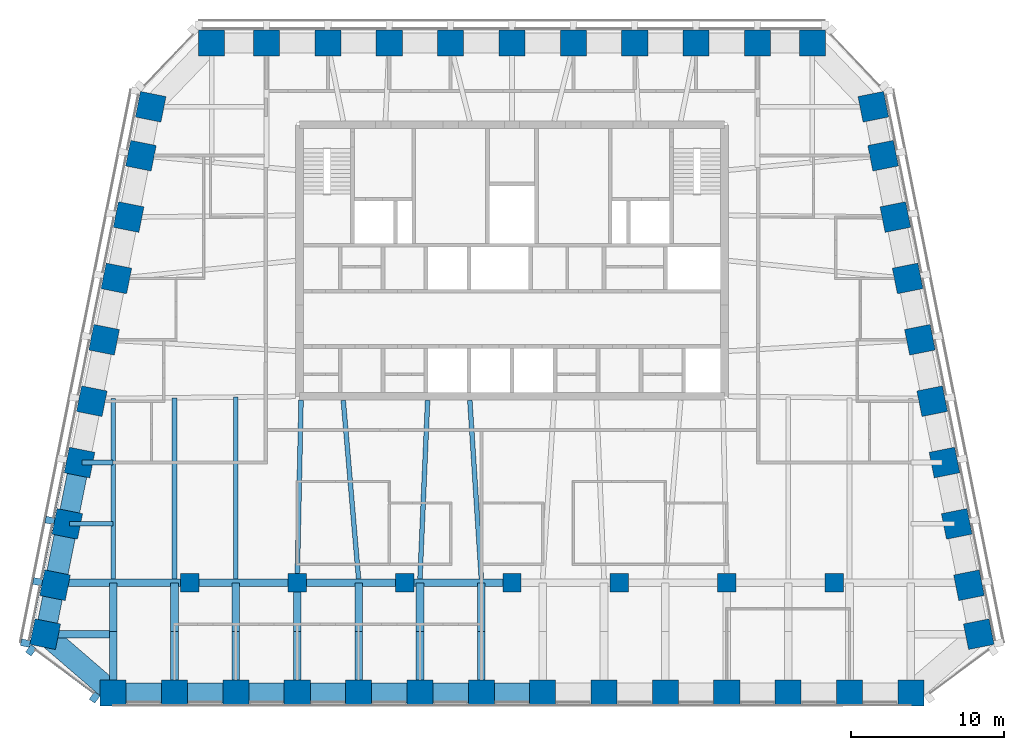
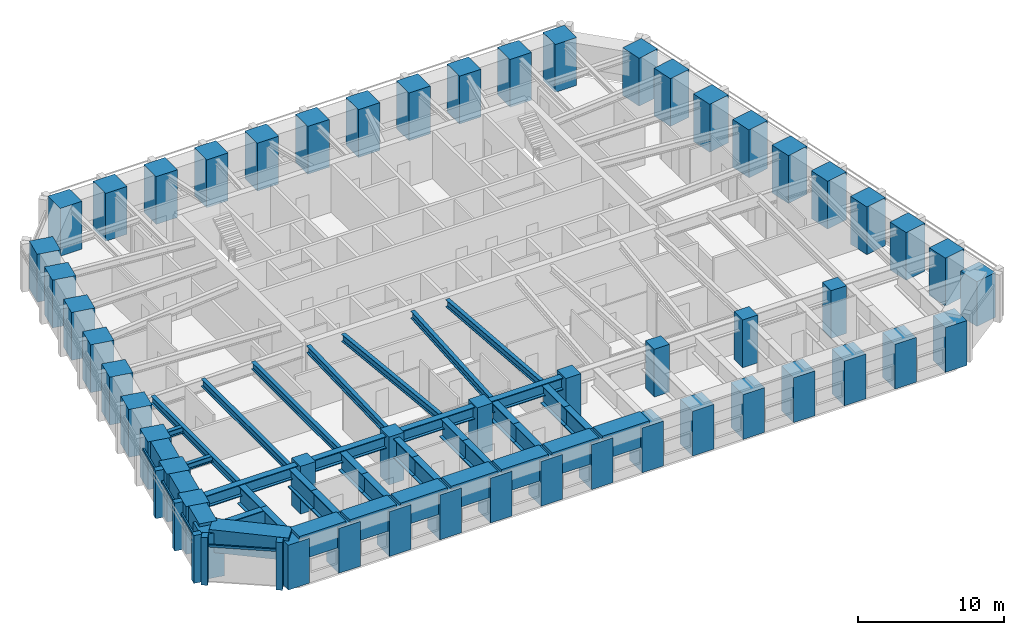
# One storey, part 1 of 11: 52 columns, 39 beams, 9 members, 2 elements without a shape of their own.
"""IFC4 building model written with IfcOpenShell, lengths in metres."""

from ifc_helpers import new_model, si_unit, direction, frame, origin, origin_2d, place, context, subcontext, project, spatial, rectangle, i_section, extrude, material, material_profile, profile_set, type_object, element, aggregate, save


model = new_model("IFC4")

# Units and contexts
model_context = context("Model", 3, precision=1e-05, world=origin(), true_north=direction((0.0, 1.0)))
body_context = subcontext(model_context, "Body", "Model", "MODEL_VIEW")
ifc_project = project(units=[si_unit("LENGTHUNIT", "METRE"), si_unit("AREAUNIT", "SQUARE_METRE"), si_unit("VOLUMEUNIT", "CUBIC_METRE"), si_unit("PLANEANGLEUNIT", "RADIAN"), si_unit("MASSUNIT", "GRAM", prefix="KILO")], contexts=[model_context])

# Site, building, storey
site_placement = place(None, origin())
site = spatial("IfcSite", under=ifc_project, at=site_placement, CompositionType="ELEMENT")
building_placement = place(site_placement, origin())
building = spatial("IfcBuilding", under=site, at=building_placement, Name="Isbrekke Arena Tower", CompositionType="ELEMENT")
storey_placement = place(building_placement, frame((0.0, 0.0, 268.0)))
storey = spatial("IfcBuildingStorey", under=building, at=storey_placement, Name="L62", CompositionType="ELEMENT", Elevation=268.0)

# Columns
ifc_material_1 = material(Name="Concrete B55 (C55/67)", Category="concrete")
ifc_material_profile_1 = material_profile(ifc_material_1, rectangle(XDim=1.199951171875, YDim=1.199951171875, at=origin_2d()), Name="RC 1200x1200")
ifc_profile_set_1 = profile_set([ifc_material_profile_1], Name="Concrete B55 (C55/67)")
column_type_1 = type_object("IfcColumnType", Name="C14 RC 1200 x 1200", PredefinedType="COLUMN", material=ifc_profile_set_1)
for number, where, z_axis, x_axis, name in (
    (1, (-21.0, -6.0, 0.0), (0.0, 0.0, 1.0), (1.0, 0.0, 0.0), "C14 I01"),
    (2, (-14.0, -6.0, 0.0), (0.0, 0.0, 1.0), (1.0, 0.0, 0.0), "C14 I02"),
    (3, (-7.0, -6.0, 0.0), (0.0, 0.0, 1.0), (1.0, 0.0, 0.0), "C14 I03"),
    (4, (0.0, -6.0, 0.0), (0.0, 0.0, 1.0), (1.0, 0.0, 0.0), "C14 I04"),
    (5, (7.0, -6.0, 0.0), (0.0, 0.0, 1.0), (1.0, 0.0, 0.0), "C14 I05"),
    (6, (14.0, -6.0, 0.0), (0.0, 0.0, 1.0), (1.0, 0.0, 0.0), "C14 I06"),
    (7, (21.0, -6.0, 0.0), (0.0, 0.0, 1.0), (1.0, 0.0, 0.0), "C14 I07"),
):
    element("IfcColumn", number, at=place(storey_placement, frame(where, z_axis=z_axis, x_axis=x_axis)), inside=storey, type_object=column_type_1, Name=name, PredefinedType="COLUMN", context=body_context, shape_type="SweptSolid", body=[
        extrude(rectangle(XDim=1.199951171875, YDim=1.199951171875, at=origin_2d()), origin(), (0.0, 0.0, 1.0), 4.0),
    ])
ifc_material_2 = material(Name="Concrete B55 (C55/67)", Category="concrete")
ifc_material_profile_2 = material_profile(ifc_material_2, rectangle(XDim=1.699951171875, YDim=1.699951171875, at=origin_2d()), Name="RC 1700x1700")
ifc_profile_set_2 = profile_set([ifc_material_profile_2], Name="Concrete B55 (C55/67)")
column_type_2 = type_object("IfcColumnType", Name="C5 RC 1700 x 1700", PredefinedType="COLUMN", material=ifc_profile_set_2)
for number, where, z_axis, x_axis, name in (
    (8, (-26.0, -13.175048828125, 0.0), (0.0, 0.0, 1.0), (1.0, 0.0, 0.0), "C5 S01"),
    (9, (-22.0, -13.175048828125, 0.0), (0.0, 0.0, 1.0), (1.0, 0.0, 0.0), "C5 S02"),
    (10, (-18.0, -13.175048828125, 0.0), (0.0, 0.0, 1.0), (1.0, 0.0, 0.0), "C5 S03"),
    (11, (-14.0, -13.175048828125, 0.0), (0.0, 0.0, 1.0), (1.0, 0.0, 0.0), "C5 S04"),
    (12, (-10.0, -13.175048828125, 0.0), (0.0, 0.0, 1.0), (1.0, 0.0, 0.0), "C5 S05"),
    (13, (-6.0, -13.175048828125, 0.0), (0.0, 0.0, 1.0), (1.0, 0.0, 0.0), "C5 S06"),
    (14, (-2.0, -13.175048828125, 0.0), (0.0, 0.0, 1.0), (1.0, 0.0, 0.0), "C5 S07"),
    (15, (2.0, -13.175048828125, 0.0), (0.0, 0.0, 1.0), (1.0, 0.0, 0.0), "C5 S08"),
    (16, (6.0, -13.175048828125, 0.0), (0.0, 0.0, 1.0), (1.0, 0.0, 0.0), "C5 S09"),
    (17, (10.0, -13.175048828125, 0.0), (0.0, 0.0, 1.0), (1.0, 0.0, 0.0), "C5 S10"),
    (18, (14.0, -13.175048828125, 0.0), (0.0, 0.0, 1.0), (1.0, 0.0, 0.0), "C5 S11"),
    (19, (18.0, -13.175048828125, 0.0), (0.0, 0.0, 1.0), (1.0, 0.0, 0.0), "C5 S12"),
    (20, (22.0, -13.175048828125, 0.0), (0.0, 0.0, 1.0), (1.0, 0.0, 0.0), "C5 S13"),
    (21, (26.0, -13.175048828125, 0.0), (0.0, 0.0, 1.0), (1.0, 0.0, 0.0), "C5 S14"),
    (22, (30.42919921875, -9.352783203125, 0.0), (0.0, 0.0, 1.0), (-0.196116135138, 0.980580675691, 0.0), "C5 E01"),
):
    element("IfcColumn", number, at=place(storey_placement, frame(where, z_axis=z_axis, x_axis=x_axis)), inside=storey, type_object=column_type_2, Name=name, PredefinedType="COLUMN", context=body_context, shape_type="SweptSolid", body=[
        extrude(rectangle(XDim=1.699951171875, YDim=1.699951171875, at=origin_2d()), origin(), (0.0, 0.0, 1.0), 3.75),
    ])
for number, where, z_axis, x_axis, name in (
    (23, (29.791015625, -6.161865234375, 0.0), (0.0, 0.0, 1.0), (-0.196116135138, 0.980580675691, 0.0), "C5 E02"),
    (24, (28.990966796875, -2.161865234375, 0.0), (0.0, 0.0, 1.0), (-0.196116135138, 0.980580675691, 0.0), "C5 E03"),
    (25, (28.19091796875, 1.838134765625, 0.0), (0.0, 0.0, 1.0), (-0.196116135138, 0.980580675691, 0.0), "C5 E04"),
    (26, (27.39111328125, 5.838134765625, 0.0), (0.0, 0.0, 1.0), (-0.196116135138, 0.980580675691, 0.0), "C5 E05"),
    (27, (26.591064453125, 9.838134765625, 0.0), (0.0, 0.0, 1.0), (-0.196116135138, 0.980580675691, 0.0), "C5 E06"),
    (28, (25.791015625, 13.838134765625, 0.0), (0.0, 0.0, 1.0), (-0.196116135138, 0.980580675691, 0.0), "C5 E07"),
    (29, (24.990966796875, 17.838134765625, 0.0), (0.0, 0.0, 1.0), (-0.196116135138, 0.980580675691, 0.0), "C5 E08"),
    (30, (24.19091796875, 21.838134765625, 0.0), (0.0, 0.0, 1.0), (-0.196116135138, 0.980580675691, 0.0), "C5 E09"),
    (31, (23.552734375, 25.029296875, 0.0), (0.0, 0.0, 1.0), (-0.196116135138, 0.980580675691, 0.0), "C5 E10"),
    (32, (19.574951171875, 29.175048828125, 0.0), (0.0, 0.0, 1.0), (-1.0, 0.0, 0.0), "C5 N01"),
    (33, (16.0, 29.175048828125, 0.0), (0.0, 0.0, 1.0), (-1.0, 0.0, 0.0), "C5 N02"),
    (34, (12.0, 29.175048828125, 0.0), (0.0, 0.0, 1.0), (-1.0, 0.0, 0.0), "C5 N03"),
    (35, (8.0, 29.175048828125, 0.0), (0.0, 0.0, 1.0), (-1.0, 0.0, 0.0), "C5 N04"),
    (36, (4.0, 29.175048828125, 0.0), (0.0, 0.0, 1.0), (-1.0, 0.0, 0.0), "C5 N05"),
    (37, (0.0, 29.175048828125, 0.0), (0.0, 0.0, 1.0), (-1.0, 0.0, 0.0), "C5 N06"),
    (38, (-4.0, 29.175048828125, 0.0), (0.0, 0.0, 1.0), (-1.0, 0.0, 0.0), "C5 N07"),
    (39, (-8.0, 29.175048828125, 0.0), (0.0, 0.0, 1.0), (-1.0, 0.0, 0.0), "C5 N08"),
    (40, (-12.0, 29.175048828125, 0.0), (0.0, 0.0, 1.0), (-1.0, 0.0, 0.0), "C5 N09"),
    (41, (-16.0, 29.175048828125, 0.0), (0.0, 0.0, 1.0), (-1.0, 0.0, 0.0), "C5 N10"),
    (42, (-19.574951171875, 29.175048828125, 0.0), (0.0, 0.0, 1.0), (-1.0, 0.0, 0.0), "C5 N11"),
    (43, (-23.552734375, 25.029296875, 0.0), (0.0, 0.0, 1.0), (-0.196116135138, -0.980580675691, 0.0), "C5 W01"),
    (44, (-24.19091796875, 21.838134765625, 0.0), (0.0, 0.0, 1.0), (-0.196116135138, -0.980580675691, 0.0), "C5 W02"),
    (45, (-24.990966796875, 17.838134765625, 0.0), (0.0, 0.0, 1.0), (-0.196116135138, -0.980580675691, 0.0), "C5 W03"),
    (46, (-25.791015625, 13.838134765625, 0.0), (0.0, 0.0, 1.0), (-0.196116135138, -0.980580675691, 0.0), "C5 W04"),
    (47, (-26.591064453125, 9.838134765625, 0.0), (0.0, 0.0, 1.0), (-0.196116135138, -0.980580675691, 0.0), "C5 W05"),
    (48, (-27.39111328125, 5.838134765625, 0.0), (0.0, 0.0, 1.0), (-0.196116135138, -0.980580675691, 0.0), "C5 W06"),
    (49, (-28.19091796875, 1.838134765625, 0.0), (0.0, 0.0, 1.0), (-0.196116135138, -0.980580675691, 0.0), "C5 W07"),
    (50, (-28.990966796875, -2.161865234375, 0.0), (0.0, 0.0, 1.0), (-0.196116135138, -0.980580675691, 0.0), "C5 W08"),
    (51, (-29.791015625, -6.161865234375, 0.0), (0.0, 0.0, 1.0), (-0.196116135138, -0.980580675691, 0.0), "C5 W09"),
):
    element("IfcColumn", number, at=place(storey_placement, frame(where, z_axis=z_axis, x_axis=x_axis)), inside=storey, type_object=column_type_2, Name=name, PredefinedType="COLUMN", context=body_context, shape_type="SweptSolid", body=[
        extrude(rectangle(XDim=1.699951171875, YDim=1.699951171875, at=origin_2d()), origin(), (0.0, 0.0, 1.0), 4.0),
    ])
column_placement = place(storey_placement, frame((-30.42919921875, -9.352783203125, 0.0), z_axis=(0.0, 0.0, 1.0), x_axis=(-0.196116135138, -0.980580675691, 0.0)))
element("IfcColumn", 52, at=column_placement, inside=storey, type_object=column_type_2, Name="C5 W10", PredefinedType="COLUMN", context=body_context, shape_type="SweptSolid", body=[
    extrude(rectangle(XDim=1.699951171875, YDim=1.699951171875, at=origin_2d()), origin(), (0.0, 0.0, 1.0), 3.75),
])

# Beams
ifc_material_3 = material(Name="Steel S355", Category="steel")
ifc_material_profile_3 = material_profile(ifc_material_3, i_section(OverallWidth=0.304931640625, OverallDepth=0.6201171875, WebThickness=0.02099609375, FlangeThickness=0.0400390625, FilletRadius=0.027099609375, at=origin_2d()), Name="HEM 600")
ifc_profile_set_3 = profile_set([ifc_material_profile_3], Name="Steel S355")
beam_type_1 = type_object("IfcBeamType", Name="B4 HEM 600", PredefinedType="BEAM", material=ifc_profile_set_3)
beam_1_placement = place(storey_placement, frame((-26.0, -5.75, 3.5400390625), z_axis=(0.0, 1.0, 0.0), x_axis=(-1.0, 0.0, 0.0)))
element("IfcBeam", 53, at=beam_1_placement, inside=storey, type_object=beam_type_1, Name="B4 beam C-M01 L62", PredefinedType="BEAM", context=body_context, shape_type="SweptSolid", body=[
    extrude(i_section(OverallWidth=0.304931640625, OverallDepth=0.6201171875, WebThickness=0.02099609375, FlangeThickness=0.0400390625, FilletRadius=0.027099609375, at=origin_2d()), origin(), (0.0, 0.0, 1.0), 11.765625),
])
beam_2_placement = place(storey_placement, frame((-22.0, -5.75, 3.5400390625), z_axis=(0.0, 1.0, 0.0), x_axis=(-1.0, 0.0, 0.0)))
element("IfcBeam", 54, at=beam_2_placement, inside=storey, type_object=beam_type_1, Name="B4 beam C-M02 L62", PredefinedType="BEAM", context=body_context, shape_type="SweptSolid", body=[
    extrude(i_section(OverallWidth=0.304931640625, OverallDepth=0.6201171875, WebThickness=0.02099609375, FlangeThickness=0.0400390625, FilletRadius=0.027099609375, at=origin_2d()), origin(), (0.0, 0.0, 1.0), 11.810791015625),
])
beam_3_placement = place(storey_placement, frame((-18.0, -5.75, 3.5400390625), z_axis=(0.0, 1.0, 0.0), x_axis=(-1.0, 0.0, 0.0)))
element("IfcBeam", 55, at=beam_3_placement, inside=storey, type_object=beam_type_1, Name="B4 beam C-M03 L62", PredefinedType="BEAM", context=body_context, shape_type="SweptSolid", body=[
    extrude(i_section(OverallWidth=0.304931640625, OverallDepth=0.6201171875, WebThickness=0.02099609375, FlangeThickness=0.0400390625, FilletRadius=0.027099609375, at=origin_2d()), origin(), (0.0, 0.0, 1.0), 11.85595703125),
])
beam_4_placement = place(storey_placement, frame((-14.0, -5.8466796875, 3.5400390625), z_axis=(0.021277968258, 0.999773598405, 0.0), x_axis=(-0.999773598405, 0.021277968258, 0.0)))
element("IfcBeam", 56, at=beam_4_placement, inside=storey, type_object=beam_type_1, Name="B4 beam C-M04 L62", PredefinedType="BEAM", context=body_context, shape_type="SweptSolid", body=[
    extrude(i_section(OverallWidth=0.304931640625, OverallDepth=0.6201171875, WebThickness=0.02099609375, FlangeThickness=0.0400390625, FilletRadius=0.027099609375, at=origin_2d()), origin(), (0.0, 0.0, 1.0), 11.749267578125),
])
beam_5_placement = place(storey_placement, frame((-10.001220703125, -5.737060546875, 3.5400390625), z_axis=(-0.085513786118, 0.996336987361, 0.0), x_axis=(-0.996336987361, -0.085513786118, 0.0)))
element("IfcBeam", 57, at=beam_5_placement, inside=storey, type_object=beam_type_1, Name="B4 beam C-M05 L62", PredefinedType="BEAM", context=body_context, shape_type="SweptSolid", body=[
    extrude(i_section(OverallWidth=0.304931640625, OverallDepth=0.6201171875, WebThickness=0.02099609375, FlangeThickness=0.0400390625, FilletRadius=0.027099609375, at=origin_2d()), origin(), (0.0, 0.0, 1.0), 11.6796875),
])
beam_6_placement = place(storey_placement, frame((-5.999755859375, -5.743408203125, 3.5400390625), z_axis=(0.042882661228, 0.999080115589, 0.0), x_axis=(-0.999080115589, 0.042882661228, 0.0)))
element("IfcBeam", 58, at=beam_6_placement, inside=storey, type_object=beam_type_1, Name="B4 beam C-M06 L62", PredefinedType="BEAM", context=body_context, shape_type="SweptSolid", body=[
    extrude(i_section(OverallWidth=0.304931640625, OverallDepth=0.6201171875, WebThickness=0.02099609375, FlangeThickness=0.0400390625, FilletRadius=0.027099609375, at=origin_2d()), origin(), (0.0, 0.0, 1.0), 11.654052734375),
])
beam_7_placement = place(storey_placement, frame((-2.000732421875, -5.740234375, 3.5400390625), z_axis=(-0.064236369609, 0.997934711702, 0.0), x_axis=(-0.997934711702, -0.064236369609, 0.0)))
element("IfcBeam", 59, at=beam_7_placement, inside=storey, type_object=beam_type_1, Name="B4 beam C-M07 L62", PredefinedType="BEAM", context=body_context, shape_type="SweptSolid", body=[
    extrude(i_section(OverallWidth=0.304931640625, OverallDepth=0.6201171875, WebThickness=0.02099609375, FlangeThickness=0.0400390625, FilletRadius=0.027099609375, at=origin_2d()), origin(), (0.0, 0.0, 1.0), 11.664306640625),
])
ifc_material_4 = material(Name="Steel S355", Category="steel")
ifc_material_profile_4 = material_profile(ifc_material_4, i_section(OverallWidth=0.305908203125, OverallDepth=0.52392578125, WebThickness=0.02099609375, FlangeThickness=0.0400390625, FilletRadius=0.027099609375, at=origin_2d()), Name="HEM 500")
ifc_profile_set_4 = profile_set([ifc_material_profile_4], Name="Steel S355")
beam_type_2 = type_object("IfcBeamType", Name="B5 HEM 500", PredefinedType="BEAM", material=ifc_profile_set_4)
beam_8_placement = place(storey_placement, frame((-28.041015625, 1.838134765625, 3.587890625), z_axis=(1.0, 0.0, 0.0), x_axis=(0.0, 1.0, 0.0)))
element("IfcBeam", 60, at=beam_8_placement, inside=storey, type_object=beam_type_2, Name="B5 beam E-W07 L62", PredefinedType="BEAM", context=body_context, shape_type="SweptSolid", body=[
    extrude(i_section(OverallWidth=0.305908203125, OverallDepth=0.52392578125, WebThickness=0.02099609375, FlangeThickness=0.0400390625, FilletRadius=0.027099609375, at=origin_2d()), origin(), (0.0, 0.0, 1.0), 2.041015625),
])
beam_9_placement = place(storey_placement, frame((-28.841064453125, -2.161865234375, 3.587890625), z_axis=(1.0, 0.0, 0.0), x_axis=(0.0, 1.0, 0.0)))
element("IfcBeam", 61, at=beam_9_placement, inside=storey, type_object=beam_type_2, Name="B5 beam E-W08 L62", PredefinedType="BEAM", context=body_context, shape_type="SweptSolid", body=[
    extrude(i_section(OverallWidth=0.305908203125, OverallDepth=0.52392578125, WebThickness=0.02099609375, FlangeThickness=0.0400390625, FilletRadius=0.027099609375, at=origin_2d()), origin(), (0.0, 0.0, 1.0), 2.841064453125),
])

# Curtain wall, members
ifc_material_5 = material(Name="Glazed aluminium curtain wall", Category="aluminium")
curtain_wall_type = type_object("IfcCurtainWallType", Name="CWT TOWER CURTAIN WALL TOP ZONE", PredefinedType="USERDEFINED", material=ifc_material_5)
curtain_wall_1_placement = place(storey_placement, origin())
curtain_wall_1 = element("IfcCurtainWall", 62, at=curtain_wall_1_placement, inside=storey, type_object=curtain_wall_type, Name="CWT curtain wall L62-W", ObjectType="TOWER CURTAIN WALL TOP ZONE", PredefinedType="USERDEFINED")
ifc_material_6 = material(Name="Copper-clad aluminium mullion", Category="aluminium")
ifc_material_profile_5 = material_profile(ifc_material_6, rectangle(XDim=0.449951171875, YDim=0.60009765625, at=origin_2d()), Name="PIER 450X600")
ifc_profile_set_5 = profile_set([ifc_material_profile_5], Name="Copper-clad aluminium mullion")
member_type_1 = type_object("IfcMemberType", Name="CWT-M PIER MULLION 450 x 600", PredefinedType="MULLION", material=ifc_profile_set_5)
member_1_placement = place(storey_placement, frame((-30.11865234375, -1.936279296875, 0.0), z_axis=(0.0, 0.0, 1.0), x_axis=(-0.196116135138, -0.980580675691, 0.0)))
member_1 = element("IfcMember", 63, at=member_1_placement, type_object=member_type_1, Name="CWT-M mullion 8", PredefinedType="MULLION", context=body_context, shape_type="SweptSolid", body=[
    extrude(rectangle(XDim=0.449951171875, YDim=0.60009765625, at=origin_2d()), origin(), (0.0, 0.0, 1.0), 4.0),
])
member_2_placement = place(storey_placement, frame((-30.918701171875, -5.936279296875, 0.0), z_axis=(0.0, 0.0, 1.0), x_axis=(-0.196116135138, -0.980580675691, 0.0)))
member_2 = element("IfcMember", 64, at=member_2_placement, type_object=member_type_1, Name="CWT-M mullion 9", PredefinedType="MULLION", context=body_context, shape_type="SweptSolid", body=[
    extrude(rectangle(XDim=0.449951171875, YDim=0.60009765625, at=origin_2d()), origin(), (0.0, 0.0, 1.0), 4.0),
])
member_3_placement = place(storey_placement, frame((-31.71875, -9.936279296875, 0.0), z_axis=(0.0, 0.0, 1.0), x_axis=(-0.196116135138, -0.980580675691, 0.0)))
member_3 = element("IfcMember", 65, at=member_3_placement, type_object=member_type_1, Name="CWT-M mullion 10", PredefinedType="MULLION", context=body_context, shape_type="SweptSolid", body=[
    extrude(rectangle(XDim=0.449951171875, YDim=0.60009765625, at=origin_2d()), origin(), (0.0, 0.0, 1.0), 4.0),
])

curtain_wall_2_placement = place(storey_placement, origin())
curtain_wall_2 = element("IfcCurtainWall", 66, at=curtain_wall_2_placement, inside=storey, type_object=curtain_wall_type, Name="CWT curtain wall L62-WS", ObjectType="TOWER CURTAIN WALL TOP ZONE", PredefinedType="USERDEFINED")
member_4_placement = place(storey_placement, frame((-31.355224609375, -10.406494140625, 0.0), z_axis=(0.0, 0.0, 1.0), x_axis=(0.803557193345, -0.595227550626, 0.0)))
member_4 = element("IfcMember", 67, at=member_4_placement, type_object=member_type_1, Name="CWT-M mullion 1", PredefinedType="MULLION", context=body_context, shape_type="SweptSolid", body=[
    extrude(rectangle(XDim=0.449951171875, YDim=0.60009765625, at=origin_2d()), origin(), (0.0, 0.0, 1.0), 4.0),
])
member_5_placement = place(storey_placement, frame((-27.207275390625, -13.47900390625, 0.0), z_axis=(0.0, 0.0, 1.0), x_axis=(0.803557193345, -0.595227550626, 0.0)))
member_5 = element("IfcMember", 68, at=member_5_placement, type_object=member_type_1, Name="CWT-M mullion 2", PredefinedType="MULLION", context=body_context, shape_type="SweptSolid", body=[
    extrude(rectangle(XDim=0.449951171875, YDim=0.60009765625, at=origin_2d()), origin(), (0.0, 0.0, 1.0), 4.0),
])

# Member
ifc_material_7 = material(Name="Aluminium transom", Category="aluminium")
ifc_material_profile_6 = material_profile(ifc_material_7, rectangle(XDim=0.1201171875, YDim=0.199951171875, at=origin_2d()), Name="TRANSOM 120X200")
ifc_profile_set_6 = profile_set([ifc_material_profile_6], Name="Aluminium transom")
member_type_2 = type_object("IfcMemberType", Name="CWT-T TRANSOM 120 x 200", PredefinedType="USERDEFINED", material=ifc_profile_set_6)
member_6_placement = place(storey_placement, frame((-29.166748046875, 1.803955078125, 3.0), z_axis=(-0.196090262229, -0.980585849918, 0.0), x_axis=(0.980585849918, -0.196090262229, 0.0)))
member_6 = element("IfcMember", 69, at=member_6_placement, type_object=member_type_2, Name="CWT-T transom 7", ObjectType="TRANSOM", PredefinedType="USERDEFINED", context=body_context, shape_type="SweptSolid", body=[
    extrude(rectangle(XDim=0.1201171875, YDim=0.199951171875, at=origin_2d()), origin(), (0.0, 0.0, 1.0), 3.62939453125),
])

member_7_placement = place(storey_placement, frame((-29.966796875, -2.196044921875, 3.0), z_axis=(-0.196090262229, -0.980585849918, 0.0), x_axis=(0.980585849918, -0.196090262229, 0.0)))
member_7 = element("IfcMember", 70, at=member_7_placement, type_object=member_type_2, Name="CWT-T transom 8", ObjectType="TRANSOM", PredefinedType="USERDEFINED", context=body_context, shape_type="SweptSolid", body=[
    extrude(rectangle(XDim=0.1201171875, YDim=0.199951171875, at=origin_2d()), origin(), (0.0, 0.0, 1.0), 3.62939453125),
])

member_8_placement = place(storey_placement, frame((-30.7666015625, -6.196044921875, 3.0), z_axis=(-0.196154943734, -0.980572913173, 0.0), x_axis=(0.980572913173, -0.196154943734, 0.0)))
member_8 = element("IfcMember", 71, at=member_8_placement, type_object=member_type_2, Name="CWT-T transom 9", ObjectType="TRANSOM", PredefinedType="USERDEFINED", context=body_context, shape_type="SweptSolid", body=[
    extrude(rectangle(XDim=0.1201171875, YDim=0.199951171875, at=origin_2d()), origin(), (0.0, 0.0, 1.0), 3.62939453125),
])

aggregate(curtain_wall_1, [member_1, member_2, member_3, member_6, member_7, member_8])

member_9_placement = place(storey_placement, frame((-31.055419921875, -10.379638671875, 3.0), z_axis=(0.803560864724, -0.595222594232, 0.0), x_axis=(0.595222594232, 0.803560864724, 0.0)))
member_9 = element("IfcMember", 72, at=member_9_placement, type_object=member_type_2, Name="CWT-T transom 1", ObjectType="TRANSOM", PredefinedType="USERDEFINED", context=body_context, shape_type="SweptSolid", body=[
    extrude(rectangle(XDim=0.1201171875, YDim=0.199951171875, at=origin_2d()), origin(), (0.0, 0.0, 1.0), 4.7119140625),
])

aggregate(curtain_wall_2, [member_4, member_5, member_9])

# Beams
ifc_material_8 = material(Name="Steel S355", Category="steel")
ifc_material_profile_7 = material_profile(ifc_material_8, i_section(OverallWidth=0.5, OverallDepth=1.0, WebThickness=0.0400390625, FlangeThickness=0.06005859375, at=origin_2d()), Name="PG 1000x500")
ifc_profile_set_7 = profile_set([ifc_material_profile_7], Name="Steel S355")
beam_type_3 = type_object("IfcBeamType", Name="G4 PG 1000x500", PredefinedType="BEAM", material=ifc_profile_set_7)
beam_10_placement = place(storey_placement, frame((-29.791015625, -6.0, 3.35009765625), z_axis=(1.0, 0.0, 0.0), x_axis=(0.0, 1.0, 0.0)))
element("IfcBeam", 73, at=beam_10_placement, inside=storey, type_object=beam_type_3, Name="G4 beam G1-01 L62", PredefinedType="BEAM", context=body_context, shape_type="SweptSolid", body=[
    extrude(i_section(OverallWidth=0.5, OverallDepth=1.0, WebThickness=0.0400390625, FlangeThickness=0.06005859375, at=origin_2d()), origin(), (0.0, 0.0, 1.0), 8.64111328125),
])
for number, where, z_axis, x_axis, name in (
    (74, (-20.85009765625, -6.0, 3.35009765625), (1.0, 0.0, 0.0), (0.0, 1.0, 0.0), "G4 beam G1-02 L62"),
    (75, (-13.85009765625, -6.0, 3.35009765625), (1.0, 0.0, 0.0), (0.0, 1.0, 0.0), "G4 beam G1-03 L62"),
    (76, (-6.85009765625, -6.0, 3.35009765625), (1.0, 0.0, 0.0), (0.0, 1.0, 0.0), "G4 beam G1-04 L62"),
):
    element("IfcBeam", number, at=place(storey_placement, frame(where, z_axis=z_axis, x_axis=x_axis)), inside=storey, type_object=beam_type_3, Name=name, PredefinedType="BEAM", context=body_context, shape_type="SweptSolid", body=[
        extrude(i_section(OverallWidth=0.5, OverallDepth=1.0, WebThickness=0.0400390625, FlangeThickness=0.06005859375, at=origin_2d()), origin(), (0.0, 0.0, 1.0), 6.7001953125),
    ])
ifc_material_9 = material(Name="Concrete B55 (C55/67)", Category="concrete")
ifc_material_profile_8 = material_profile(ifc_material_9, rectangle(XDim=1.300048828125, YDim=2.0, at=origin_2d()), Name="RC 1300x2000")
ifc_profile_set_8 = profile_set([ifc_material_profile_8], Name="Concrete B55 (C55/67)")
beam_type_4 = type_object("IfcBeamType", Name="SB4 RC 1300 x 2000", PredefinedType="SPANDREL", material=ifc_profile_set_8)
for number, where, z_axis, x_axis, name in (
    (77, (-25.85009765625, -13.175048828125, 3.0), (1.0, 0.0, 0.0), (0.0, 1.0, 0.0), "SB4 spandrel S01-S02 L62"),
    (78, (-21.85009765625, -13.175048828125, 3.0), (1.0, 0.0, 0.0), (0.0, 1.0, 0.0), "SB4 spandrel S02-S03 L62"),
    (79, (-17.85009765625, -13.175048828125, 3.0), (1.0, 0.0, 0.0), (0.0, 1.0, 0.0), "SB4 spandrel S03-S04 L62"),
    (80, (-13.85009765625, -13.175048828125, 3.0), (1.0, 0.0, 0.0), (0.0, 1.0, 0.0), "SB4 spandrel S04-S05 L62"),
    (81, (-9.85009765625, -13.175048828125, 3.0), (1.0, 0.0, 0.0), (0.0, 1.0, 0.0), "SB4 spandrel S05-S06 L62"),
    (82, (-5.85009765625, -13.175048828125, 3.0), (1.0, 0.0, 0.0), (0.0, 1.0, 0.0), "SB4 spandrel S06-S07 L62"),
    (83, (-1.85009765625, -13.175048828125, 3.0), (1.0, 0.0, 0.0), (0.0, 1.0, 0.0), "SB4 spandrel S07-S08 L62"),
):
    element("IfcBeam", number, at=place(storey_placement, frame(where, z_axis=z_axis, x_axis=x_axis)), inside=storey, type_object=beam_type_4, Name=name, PredefinedType="SPANDREL", context=body_context, shape_type="SweptSolid", body=[
        extrude(rectangle(XDim=1.300048828125, YDim=2.0, at=origin_2d()), origin(), (0.0, 0.0, 1.0), 3.7001953125),
    ])
beam_11_placement = place(storey_placement, frame((-28.220458984375, 1.691162109375, 3.0), z_axis=(-0.196128558387, -0.980578190959, 0.0), x_axis=(0.980578190959, -0.196128558387, 0.0)))
element("IfcBeam", 84, at=beam_11_placement, inside=storey, type_object=beam_type_4, Name="SB4 spandrel W07-W08 L62", PredefinedType="SPANDREL", context=body_context, shape_type="SweptSolid", body=[
    extrude(rectangle(XDim=1.300048828125, YDim=2.0, at=origin_2d()), origin(), (0.0, 0.0, 1.0), 3.779296875),
])
beam_12_placement = place(storey_placement, frame((-29.629150390625, -5.352783203125, 3.0), z_axis=(-0.196151980621, -0.980573505913, 0.0), x_axis=(0.980573505913, -0.196151980621, 0.0)))
element("IfcBeam", 85, at=beam_12_placement, inside=storey, type_object=beam_type_4, Name="SB4 spandrel W09-W10 L62", PredefinedType="SPANDREL", context=body_context, shape_type="SweptSolid", body=[
    extrude(rectangle(XDim=1.300048828125, YDim=2.0, at=origin_2d()), origin(), (0.0, 0.0, 1.0), 3.929443359375),
])
ifc_material_10 = material(Name="Concrete B55 (C55/67)", Category="concrete")
ifc_material_profile_9 = material_profile(ifc_material_10, rectangle(XDim=1.39990234375, YDim=1.89990234375, at=origin_2d()), Name="RC 1400 x 1900")
ifc_profile_set_9 = profile_set([ifc_material_profile_9], Name="Concrete B55 (C55/67)")
beam_type_5 = type_object("IfcBeamType", Name="SB5 RC 1400  x  1900", PredefinedType="SPANDREL", material=ifc_profile_set_9)
beam_13_placement = place(storey_placement, frame((-29.0205078125, -2.308837890625, 3.050048828125), z_axis=(-0.196070760782, -0.98058974947, 0.0), x_axis=(0.98058974947, -0.196070760782, 0.0)))
element("IfcBeam", 86, at=beam_13_placement, inside=storey, type_object=beam_type_5, Name="SB5 spandrel W08-W09 L62", PredefinedType="SPANDREL", context=body_context, shape_type="SweptSolid", body=[
    extrude(rectangle(XDim=1.39990234375, YDim=1.89990234375, at=origin_2d()), origin(), (0.0, 0.0, 1.0), 3.104248046875),
])
beam_14_placement = place(storey_placement, frame((-30.315673828125, -9.450927734375, 3.050048828125), z_axis=(0.757103829862, -0.653294566646, 0.0), x_axis=(0.653294566646, 0.757103829862, 0.0)))
element("IfcBeam", 87, at=beam_14_placement, inside=storey, type_object=beam_type_5, Name="SB5 spandrel W10-S01 L62", PredefinedType="SPANDREL", context=body_context, shape_type="SweptSolid", body=[
    extrude(rectangle(XDim=1.39990234375, YDim=1.89990234375, at=origin_2d()), origin(), (0.0, 0.0, 1.0), 5.55029296875),
])
ifc_material_11 = material(Name="Steel S355", Category="steel")
ifc_material_profile_10 = material_profile(ifc_material_11, i_section(OverallWidth=0.5, OverallDepth=1.60009765625, WebThickness=0.030029296875, FlangeThickness=0.06005859375, at=origin_2d()), Name="PG 1600x500")
ifc_profile_set_10 = profile_set([ifc_material_profile_10], Name="Steel S355")
beam_type_6 = type_object("IfcBeamType", Name="TG1 PG 1600x500", PredefinedType="BEAM", material=ifc_profile_set_10)
beam_15_placement = place(storey_placement, frame((-26.0, -13.02490234375, 2.949951171875), z_axis=(0.0, 1.0, 0.0), x_axis=(-1.0, 0.0, 0.0)))
element("IfcBeam", 88, at=beam_15_placement, inside=storey, type_object=beam_type_6, Name="TG1 transfer girder S-S01 L62 part 1", PredefinedType="BEAM", context=body_context, shape_type="SweptSolid", body=[
    extrude(i_section(OverallWidth=0.5, OverallDepth=1.60009765625, WebThickness=0.030029296875, FlangeThickness=0.06005859375, at=origin_2d()), origin(), (0.0, 0.0, 1.0), 3.849853515625),
])
beam_16_placement = place(storey_placement, frame((-26.0, -9.175048828125, 2.949951171875), z_axis=(0.0, 1.0, 0.0), x_axis=(-1.0, 0.0, 0.0)))
element("IfcBeam", 89, at=beam_16_placement, inside=storey, type_object=beam_type_6, Name="TG1 transfer girder S-S01 L62 part 2", PredefinedType="BEAM", context=body_context, shape_type="SweptSolid", body=[
    extrude(i_section(OverallWidth=0.5, OverallDepth=1.60009765625, WebThickness=0.030029296875, FlangeThickness=0.06005859375, at=origin_2d()), origin(), (0.0, 0.0, 1.0), 3.175048828125),
])
beam_17_placement = place(storey_placement, frame((-22.0, -13.02490234375, 2.949951171875), z_axis=(0.0, 1.0, 0.0), x_axis=(-1.0, 0.0, 0.0)))
element("IfcBeam", 90, at=beam_17_placement, inside=storey, type_object=beam_type_6, Name="TG1 transfer girder S-S02 L62 part 1", PredefinedType="BEAM", context=body_context, shape_type="SweptSolid", body=[
    extrude(i_section(OverallWidth=0.5, OverallDepth=1.60009765625, WebThickness=0.030029296875, FlangeThickness=0.06005859375, at=origin_2d()), origin(), (0.0, 0.0, 1.0), 3.849853515625),
])
beam_18_placement = place(storey_placement, frame((-22.0, -9.175048828125, 2.949951171875), z_axis=(0.0, 1.0, 0.0), x_axis=(-1.0, 0.0, 0.0)))
element("IfcBeam", 91, at=beam_18_placement, inside=storey, type_object=beam_type_6, Name="TG1 transfer girder S-S02 L62 part 2", PredefinedType="BEAM", context=body_context, shape_type="SweptSolid", body=[
    extrude(i_section(OverallWidth=0.5, OverallDepth=1.60009765625, WebThickness=0.030029296875, FlangeThickness=0.06005859375, at=origin_2d()), origin(), (0.0, 0.0, 1.0), 3.175048828125),
])
beam_19_placement = place(storey_placement, frame((-18.0, -13.02490234375, 2.949951171875), z_axis=(0.0, 1.0, 0.0), x_axis=(-1.0, 0.0, 0.0)))
element("IfcBeam", 92, at=beam_19_placement, inside=storey, type_object=beam_type_6, Name="TG1 transfer girder S-S03 L62 part 1", PredefinedType="BEAM", context=body_context, shape_type="SweptSolid", body=[
    extrude(i_section(OverallWidth=0.5, OverallDepth=1.60009765625, WebThickness=0.030029296875, FlangeThickness=0.06005859375, at=origin_2d()), origin(), (0.0, 0.0, 1.0), 3.849853515625),
])
beam_20_placement = place(storey_placement, frame((-18.0, -9.175048828125, 2.949951171875), z_axis=(0.0, 1.0, 0.0), x_axis=(-1.0, 0.0, 0.0)))
element("IfcBeam", 93, at=beam_20_placement, inside=storey, type_object=beam_type_6, Name="TG1 transfer girder S-S03 L62 part 2", PredefinedType="BEAM", context=body_context, shape_type="SweptSolid", body=[
    extrude(i_section(OverallWidth=0.5, OverallDepth=1.60009765625, WebThickness=0.030029296875, FlangeThickness=0.06005859375, at=origin_2d()), origin(), (0.0, 0.0, 1.0), 3.175048828125),
])
beam_21_placement = place(storey_placement, frame((-14.0, -13.02490234375, 2.949951171875), z_axis=(0.0, 1.0, 0.0), x_axis=(-1.0, 0.0, 0.0)))
element("IfcBeam", 94, at=beam_21_placement, inside=storey, type_object=beam_type_6, Name="TG1 transfer girder S-S04 L62 part 1", PredefinedType="BEAM", context=body_context, shape_type="SweptSolid", body=[
    extrude(i_section(OverallWidth=0.5, OverallDepth=1.60009765625, WebThickness=0.030029296875, FlangeThickness=0.06005859375, at=origin_2d()), origin(), (0.0, 0.0, 1.0), 3.849853515625),
])
beam_22_placement = place(storey_placement, frame((-14.0, -9.175048828125, 2.949951171875), z_axis=(0.0, 1.0, 0.0), x_axis=(-1.0, 0.0, 0.0)))
element("IfcBeam", 95, at=beam_22_placement, inside=storey, type_object=beam_type_6, Name="TG1 transfer girder S-S04 L62 part 2", PredefinedType="BEAM", context=body_context, shape_type="SweptSolid", body=[
    extrude(i_section(OverallWidth=0.5, OverallDepth=1.60009765625, WebThickness=0.030029296875, FlangeThickness=0.06005859375, at=origin_2d()), origin(), (0.0, 0.0, 1.0), 3.025146484375),
])
beam_23_placement = place(storey_placement, frame((-10.0, -13.02490234375, 2.949951171875), z_axis=(0.0, 1.0, 0.0), x_axis=(-1.0, 0.0, 0.0)))
element("IfcBeam", 96, at=beam_23_placement, inside=storey, type_object=beam_type_6, Name="TG1 transfer girder S-S05 L62 part 1", PredefinedType="BEAM", context=body_context, shape_type="SweptSolid", body=[
    extrude(i_section(OverallWidth=0.5, OverallDepth=1.60009765625, WebThickness=0.030029296875, FlangeThickness=0.06005859375, at=origin_2d()), origin(), (0.0, 0.0, 1.0), 3.849853515625),
])
beam_24_placement = place(storey_placement, frame((-10.0, -9.175048828125, 2.949951171875), z_axis=(0.0, 1.0, 0.0), x_axis=(-1.0, 0.0, 0.0)))
element("IfcBeam", 97, at=beam_24_placement, inside=storey, type_object=beam_type_6, Name="TG1 transfer girder S-S05 L62 part 2", PredefinedType="BEAM", context=body_context, shape_type="SweptSolid", body=[
    extrude(i_section(OverallWidth=0.5, OverallDepth=1.60009765625, WebThickness=0.030029296875, FlangeThickness=0.06005859375, at=origin_2d()), origin(), (0.0, 0.0, 1.0), 3.175048828125),
])
beam_25_placement = place(storey_placement, frame((-6.0, -13.02490234375, 2.949951171875), z_axis=(0.0, 1.0, 0.0), x_axis=(-1.0, 0.0, 0.0)))
element("IfcBeam", 98, at=beam_25_placement, inside=storey, type_object=beam_type_6, Name="TG1 transfer girder S-S06 L62 part 1", PredefinedType="BEAM", context=body_context, shape_type="SweptSolid", body=[
    extrude(i_section(OverallWidth=0.5, OverallDepth=1.60009765625, WebThickness=0.030029296875, FlangeThickness=0.06005859375, at=origin_2d()), origin(), (0.0, 0.0, 1.0), 3.849853515625),
])
beam_26_placement = place(storey_placement, frame((-6.0, -9.175048828125, 2.949951171875), z_axis=(0.0, 1.0, 0.0), x_axis=(-1.0, 0.0, 0.0)))
element("IfcBeam", 99, at=beam_26_placement, inside=storey, type_object=beam_type_6, Name="TG1 transfer girder S-S06 L62 part 2", PredefinedType="BEAM", context=body_context, shape_type="SweptSolid", body=[
    extrude(i_section(OverallWidth=0.5, OverallDepth=1.60009765625, WebThickness=0.030029296875, FlangeThickness=0.06005859375, at=origin_2d()), origin(), (0.0, 0.0, 1.0), 3.175048828125),
])
beam_27_placement = place(storey_placement, frame((-2.0, -13.02490234375, 2.949951171875), z_axis=(0.0, 1.0, 0.0), x_axis=(-1.0, 0.0, 0.0)))
element("IfcBeam", 100, at=beam_27_placement, inside=storey, type_object=beam_type_6, Name="TG1 transfer girder S-S07 L62 part 1", PredefinedType="BEAM", context=body_context, shape_type="SweptSolid", body=[
    extrude(i_section(OverallWidth=0.5, OverallDepth=1.60009765625, WebThickness=0.030029296875, FlangeThickness=0.06005859375, at=origin_2d()), origin(), (0.0, 0.0, 1.0), 3.849853515625),
])
beam_28_placement = place(storey_placement, frame((-2.0, -9.175048828125, 2.949951171875), z_axis=(0.0, 1.0, 0.0), x_axis=(-1.0, 0.0, 0.0)))
element("IfcBeam", 101, at=beam_28_placement, inside=storey, type_object=beam_type_6, Name="TG1 transfer girder S-S07 L62 part 2", PredefinedType="BEAM", context=body_context, shape_type="SweptSolid", body=[
    extrude(i_section(OverallWidth=0.5, OverallDepth=1.60009765625, WebThickness=0.030029296875, FlangeThickness=0.06005859375, at=origin_2d()), origin(), (0.0, 0.0, 1.0), 3.175048828125),
])
beam_29_placement = place(storey_placement, frame((-30.279296875, -9.352783203125, 2.949951171875), z_axis=(1.0, 0.0, 0.0), x_axis=(0.0, 1.0, 0.0)))
element("IfcBeam", 102, at=beam_29_placement, inside=storey, type_object=beam_type_6, Name="TG1 transfer girder E-W10 L62", PredefinedType="BEAM", context=body_context, shape_type="SweptSolid", body=[
    extrude(i_section(OverallWidth=0.5, OverallDepth=1.60009765625, WebThickness=0.030029296875, FlangeThickness=0.06005859375, at=origin_2d()), origin(), (0.0, 0.0, 1.0), 4.279296875),
])

save(model, "model.ifc")
